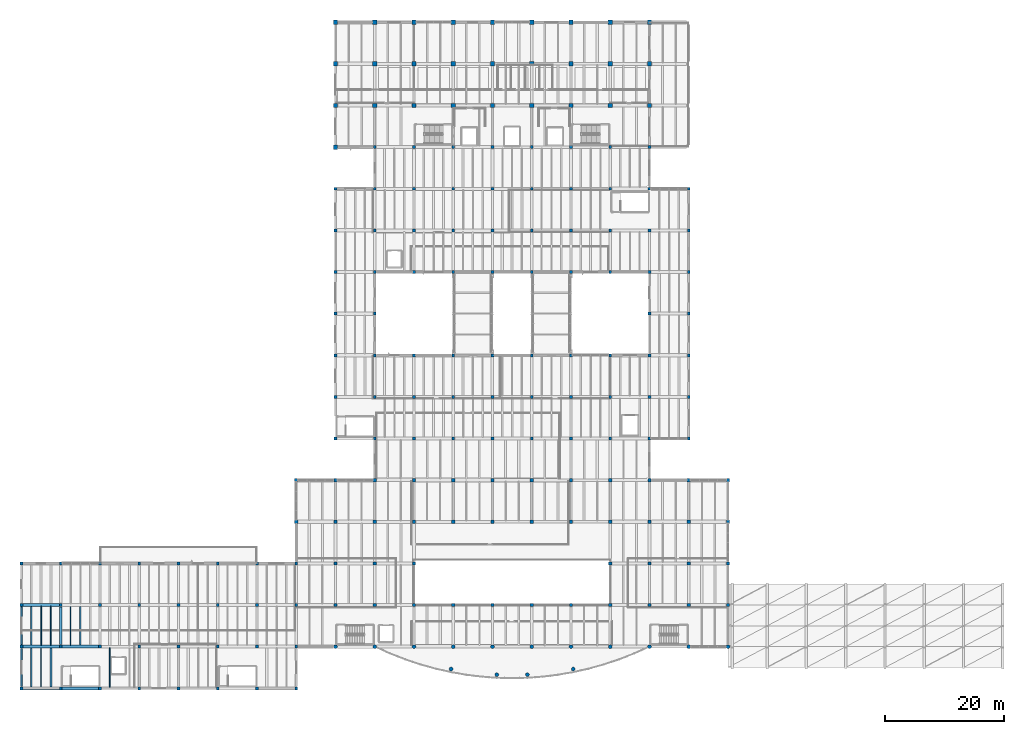
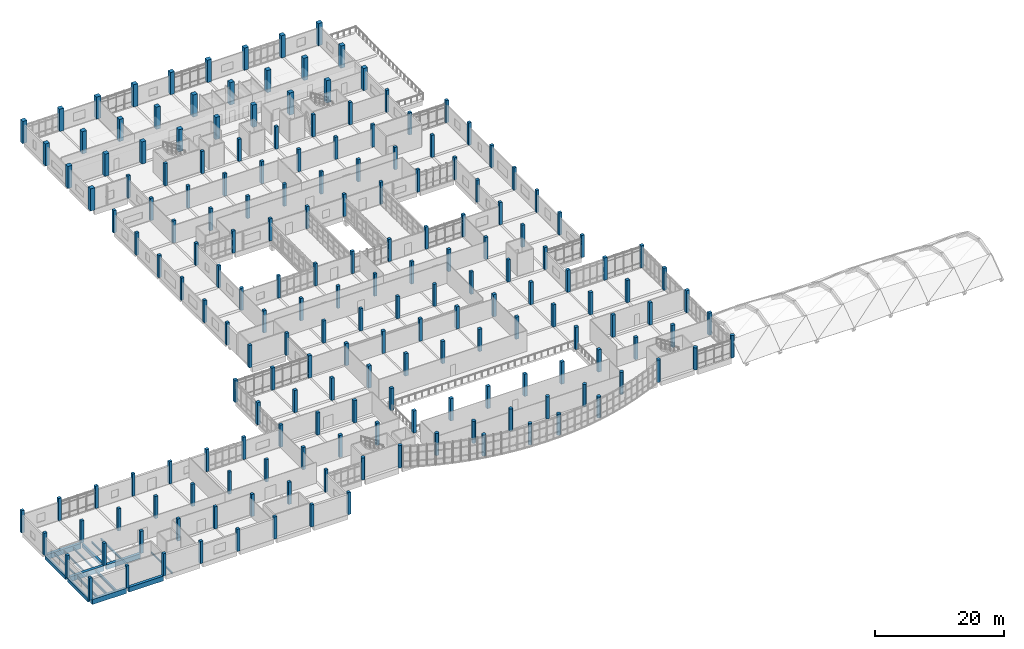
# One storey, part 1 of 65: 189 columns, 17 beams.
"""IFC4 building model written with IfcOpenShell, lengths in metres."""

from ifc_helpers import new_model, si_unit, direction, frame, origin, origin_2d, place, context, subcontext, project, spatial, rectangle, circle, i_section, extrude, material, material_profile, profile_set, type_object, element, save


model = new_model("IFC4")

# Units and contexts
model_context = context("Model", 3, precision=1e-05, world=origin(), true_north=direction((0.0, 1.0)))
body_context = subcontext(model_context, "Body", "Model", "MODEL_VIEW")
ifc_project = project(units=[si_unit("LENGTHUNIT", "METRE"), si_unit("AREAUNIT", "SQUARE_METRE"), si_unit("VOLUMEUNIT", "CUBIC_METRE"), si_unit("PLANEANGLEUNIT", "RADIAN"), si_unit("MASSUNIT", "GRAM", prefix="KILO")], contexts=[model_context])

# Site, building, storey
site_placement = place(None, origin())
site = spatial("IfcSite", under=ifc_project, at=site_placement, CompositionType="ELEMENT")
building_placement = place(site_placement, origin())
building = spatial("IfcBuilding", under=site, at=building_placement, Name="Ciguamira Faculty of Natural Sciences", CompositionType="ELEMENT")
storey_placement = place(building_placement, frame((0.0, 0.0, 12.60009765625)))
storey = spatial("IfcBuildingStorey", under=building, at=storey_placement, Name="L03", CompositionType="ELEMENT", Elevation=12.60009765625)

# Columns
ifc_material_1 = material(Name="Concrete C45/55", Category="concrete")
ifc_material_profile_1 = material_profile(ifc_material_1, rectangle(XDim=0.75, YDim=0.75, at=origin_2d()), Name="RC-COL-750X750")
ifc_profile_set_1 = profile_set([ifc_material_profile_1], Name="Concrete C45/55")
column_type_1 = type_object("IfcColumnType", Name="Col_C-04_RC-COL-750X750", PredefinedType="COLUMN", material=ifc_profile_set_1)
for number, where, z_axis, x_axis, name in (
    (1, (57.300048828125, 94.0, 0.0), (0.0, 0.0, 1.0), (1.0, 0.0, 0.0), "L03 column 9/P"),
    (2, (57.300048828125, 101.0, 0.0), (0.0, 0.0, 1.0), (1.0, 0.0, 0.0), "L03 column 9/Q"),
    (3, (57.300048828125, 108.0, 0.0), (0.0, 0.0, 1.0), (1.0, 0.0, 0.0), "L03 column 9/R"),
    (4, (57.300048828125, 115.0, 0.0), (0.0, 0.0, 1.0), (1.0, 0.0, 0.0), "L03 column 9/S"),
    (5, (63.89990234375, 101.0, 0.0), (0.0, 0.0, 1.0), (1.0, 0.0, 0.0), "L03 column 10/Q"),
    (6, (63.89990234375, 108.0, 0.0), (0.0, 0.0, 1.0), (1.0, 0.0, 0.0), "L03 column 10/R"),
    (7, (63.89990234375, 115.0, 0.0), (0.0, 0.0, 1.0), (1.0, 0.0, 0.0), "L03 column 10/S"),
    (8, (70.5, 101.0, 0.0), (0.0, 0.0, 1.0), (1.0, 0.0, 0.0), "L03 column 11/Q"),
    (9, (70.5, 108.0, 0.0), (0.0, 0.0, 1.0), (1.0, 0.0, 0.0), "L03 column 11/R"),
    (10, (70.5, 115.0, 0.0), (0.0, 0.0, 1.0), (1.0, 0.0, 0.0), "L03 column 11/S"),
    (11, (77.10009765625, 101.0, 0.0), (0.0, 0.0, 1.0), (1.0, 0.0, 0.0), "L03 column 12/Q"),
    (12, (77.10009765625, 108.0, 0.0), (0.0, 0.0, 1.0), (1.0, 0.0, 0.0), "L03 column 12/R"),
    (13, (77.10009765625, 115.0, 0.0), (0.0, 0.0, 1.0), (1.0, 0.0, 0.0), "L03 column 12/S"),
    (14, (83.699951171875, 101.0, 0.0), (0.0, 0.0, 1.0), (1.0, 0.0, 0.0), "L03 column 13/Q"),
    (15, (83.699951171875, 108.0, 0.0), (0.0, 0.0, 1.0), (1.0, 0.0, 0.0), "L03 column 13/R"),
    (16, (83.699951171875, 115.0, 0.0), (0.0, 0.0, 1.0), (1.0, 0.0, 0.0), "L03 column 13/S"),
    (17, (90.300048828125, 101.0, 0.0), (0.0, 0.0, 1.0), (1.0, 0.0, 0.0), "L03 column 14/Q"),
    (18, (90.300048828125, 108.0, 0.0), (0.0, 0.0, 1.0), (1.0, 0.0, 0.0), "L03 column 14/R"),
    (19, (90.300048828125, 115.0, 0.0), (0.0, 0.0, 1.0), (1.0, 0.0, 0.0), "L03 column 14/S"),
    (20, (96.89990234375, 101.0, 0.0), (0.0, 0.0, 1.0), (1.0, 0.0, 0.0), "L03 column 15/Q"),
    (21, (96.89990234375, 108.0, 0.0), (0.0, 0.0, 1.0), (1.0, 0.0, 0.0), "L03 column 15/R"),
    (22, (96.89990234375, 115.0, 0.0), (0.0, 0.0, 1.0), (1.0, 0.0, 0.0), "L03 column 15/S"),
    (23, (103.5, 101.0, 0.0), (0.0, 0.0, 1.0), (1.0, 0.0, 0.0), "L03 column 16/Q"),
    (24, (103.5, 108.0, 0.0), (0.0, 0.0, 1.0), (1.0, 0.0, 0.0), "L03 column 16/R"),
    (25, (103.5, 115.0, 0.0), (0.0, 0.0, 1.0), (1.0, 0.0, 0.0), "L03 column 16/S"),
    (26, (110.10009765625, 101.0, 0.0), (0.0, 0.0, 1.0), (1.0, 0.0, 0.0), "L03 column 17/Q"),
    (27, (110.10009765625, 108.0, 0.0), (0.0, 0.0, 1.0), (1.0, 0.0, 0.0), "L03 column 17/R"),
    (28, (110.10009765625, 115.0, 0.0), (0.0, 0.0, 1.0), (1.0, 0.0, 0.0), "L03 column 17/S"),
):
    element("IfcColumn", number, at=place(storey_placement, frame(where, z_axis=z_axis, x_axis=x_axis)), inside=storey, type_object=column_type_1, Name=name, PredefinedType="COLUMN", context=body_context, shape_type="SweptSolid", body=[
        extrude(rectangle(XDim=0.75, YDim=0.75, at=origin_2d()), origin(), (0.0, 0.0, 1.0), 4.199951171875),
    ])
ifc_material_2 = material(Name="Concrete C40/50", Category="concrete")
ifc_material_profile_2 = material_profile(ifc_material_2, rectangle(XDim=0.550048828125, YDim=0.550048828125, at=origin_2d()), Name="RC-COL-550X550")
ifc_profile_set_2 = profile_set([ifc_material_profile_2], Name="Concrete C40/50")
column_type_2 = type_object("IfcColumnType", Name="Col_C-08_RC-COL-550X550", PredefinedType="COLUMN", material=ifc_profile_set_2)
for number, where, z_axis, x_axis, name in (
    (29, (50.699951171875, 31.0, 0.0), (0.0, 0.0, 1.0), (1.0, 0.0, 0.0), "L03 column 8/E"),
    (30, (50.699951171875, 38.0, 0.0), (0.0, 0.0, 1.0), (1.0, 0.0, 0.0), "L03 column 8/F"),
    (31, (57.300048828125, 17.0, 0.0), (0.0, 0.0, 1.0), (1.0, 0.0, 0.0), "L03 column 9/C"),
    (32, (57.300048828125, 24.0, 0.0), (0.0, 0.0, 1.0), (1.0, 0.0, 0.0), "L03 column 9/D"),
    (33, (57.300048828125, 31.0, 0.0), (0.0, 0.0, 1.0), (1.0, 0.0, 0.0), "L03 column 9/E"),
    (34, (57.300048828125, 38.0, 0.0), (0.0, 0.0, 1.0), (1.0, 0.0, 0.0), "L03 column 9/F"),
    (35, (63.89990234375, 17.0, 0.0), (0.0, 0.0, 1.0), (1.0, 0.0, 0.0), "L03 column 10/C"),
    (36, (63.89990234375, 24.0, 0.0), (0.0, 0.0, 1.0), (1.0, 0.0, 0.0), "L03 column 10/D"),
    (37, (63.89990234375, 31.0, 0.0), (0.0, 0.0, 1.0), (1.0, 0.0, 0.0), "L03 column 10/E"),
    (38, (63.89990234375, 38.0, 0.0), (0.0, 0.0, 1.0), (1.0, 0.0, 0.0), "L03 column 10/F"),
    (39, (70.5, 17.0, 0.0), (0.0, 0.0, 1.0), (1.0, 0.0, 0.0), "L03 column 11/C"),
    (40, (70.5, 24.0, 0.0), (0.0, 0.0, 1.0), (1.0, 0.0, 0.0), "L03 column 11/D"),
    (41, (70.5, 31.0, 0.0), (0.0, 0.0, 1.0), (1.0, 0.0, 0.0), "L03 column 11/E"),
    (42, (70.5, 38.0, 0.0), (0.0, 0.0, 1.0), (1.0, 0.0, 0.0), "L03 column 11/F"),
    (43, (77.10009765625, 17.0, 0.0), (0.0, 0.0, 1.0), (1.0, 0.0, 0.0), "L03 column 12/C"),
    (44, (77.10009765625, 31.0, 0.0), (0.0, 0.0, 1.0), (1.0, 0.0, 0.0), "L03 column 12/E"),
    (45, (77.10009765625, 38.0, 0.0), (0.0, 0.0, 1.0), (1.0, 0.0, 0.0), "L03 column 12/F"),
    (46, (83.699951171875, 17.0, 0.0), (0.0, 0.0, 1.0), (1.0, 0.0, 0.0), "L03 column 13/C"),
    (47, (83.699951171875, 31.0, 0.0), (0.0, 0.0, 1.0), (1.0, 0.0, 0.0), "L03 column 13/E"),
    (48, (83.699951171875, 38.0, 0.0), (0.0, 0.0, 1.0), (1.0, 0.0, 0.0), "L03 column 13/F"),
    (49, (90.300048828125, 17.0, 0.0), (0.0, 0.0, 1.0), (1.0, 0.0, 0.0), "L03 column 14/C"),
    (50, (90.300048828125, 31.0, 0.0), (0.0, 0.0, 1.0), (1.0, 0.0, 0.0), "L03 column 14/E"),
    (51, (90.300048828125, 38.0, 0.0), (0.0, 0.0, 1.0), (1.0, 0.0, 0.0), "L03 column 14/F"),
    (52, (96.89990234375, 17.0, 0.0), (0.0, 0.0, 1.0), (1.0, 0.0, 0.0), "L03 column 15/C"),
    (53, (96.89990234375, 31.0, 0.0), (0.0, 0.0, 1.0), (1.0, 0.0, 0.0), "L03 column 15/E"),
    (54, (96.89990234375, 38.0, 0.0), (0.0, 0.0, 1.0), (1.0, 0.0, 0.0), "L03 column 15/F"),
    (55, (103.5, 17.0, 0.0), (0.0, 0.0, 1.0), (1.0, 0.0, 0.0), "L03 column 16/C"),
    (56, (103.5, 24.0, 0.0), (0.0, 0.0, 1.0), (1.0, 0.0, 0.0), "L03 column 16/D"),
    (57, (103.5, 31.0, 0.0), (0.0, 0.0, 1.0), (1.0, 0.0, 0.0), "L03 column 16/E"),
    (58, (103.5, 38.0, 0.0), (0.0, 0.0, 1.0), (1.0, 0.0, 0.0), "L03 column 16/F"),
    (59, (110.10009765625, 17.0, 0.0), (0.0, 0.0, 1.0), (1.0, 0.0, 0.0), "L03 column 17/C"),
    (60, (110.10009765625, 24.0, 0.0), (0.0, 0.0, 1.0), (1.0, 0.0, 0.0), "L03 column 17/D"),
    (61, (110.10009765625, 31.0, 0.0), (0.0, 0.0, 1.0), (1.0, 0.0, 0.0), "L03 column 17/E"),
    (62, (110.10009765625, 38.0, 0.0), (0.0, 0.0, 1.0), (1.0, 0.0, 0.0), "L03 column 17/F"),
    (63, (116.699951171875, 17.0, 0.0), (0.0, 0.0, 1.0), (1.0, 0.0, 0.0), "L03 column 18/C"),
    (64, (116.699951171875, 24.0, 0.0), (0.0, 0.0, 1.0), (1.0, 0.0, 0.0), "L03 column 18/D"),
    (65, (116.699951171875, 31.0, 0.0), (0.0, 0.0, 1.0), (1.0, 0.0, 0.0), "L03 column 18/E"),
    (66, (116.699951171875, 38.0, 0.0), (0.0, 0.0, 1.0), (1.0, 0.0, 0.0), "L03 column 18/F"),
    (67, (123.300048828125, 17.0, 0.0), (0.0, 0.0, 1.0), (1.0, 0.0, 0.0), "L03 column 19/C"),
    (68, (123.300048828125, 24.0, 0.0), (0.0, 0.0, 1.0), (1.0, 0.0, 0.0), "L03 column 19/D"),
    (69, (123.300048828125, 31.0, 0.0), (0.0, 0.0, 1.0), (1.0, 0.0, 0.0), "L03 column 19/E"),
    (70, (123.300048828125, 38.0, 0.0), (0.0, 0.0, 1.0), (1.0, 0.0, 0.0), "L03 column 19/F"),
):
    element("IfcColumn", number, at=place(storey_placement, frame(where, z_axis=z_axis, x_axis=x_axis)), inside=storey, type_object=column_type_2, Name=name, PredefinedType="COLUMN", context=body_context, shape_type="SweptSolid", body=[
        extrude(rectangle(XDim=0.550048828125, YDim=0.550048828125, at=origin_2d()), origin(), (0.0, 0.0, 1.0), 4.199951171875),
    ])
ifc_material_profile_3 = material_profile(ifc_material_2, rectangle(XDim=0.5, YDim=0.5, at=origin_2d()), Name="RC-COL-500X500")
ifc_profile_set_3 = profile_set([ifc_material_profile_3], Name="Concrete C40/50")
column_type_3 = type_object("IfcColumnType", Name="Col_C-09_RC-COL-500X500", PredefinedType="COLUMN", material=ifc_profile_set_3)
for number, where, z_axis, x_axis, name in (
    (71, (4.5, 3.0, 0.0), (0.0, 0.0, 1.0), (1.0, 0.0, 0.0), "L03 column 1/A"),
    (72, (4.5, 10.0, 0.0), (0.0, 0.0, 1.0), (1.0, 0.0, 0.0), "L03 column 1/B"),
    (73, (4.5, 17.0, 0.0), (0.0, 0.0, 1.0), (1.0, 0.0, 0.0), "L03 column 1/C"),
    (74, (4.5, 24.0, 0.0), (0.0, 0.0, 1.0), (1.0, 0.0, 0.0), "L03 column 1/D"),
    (75, (11.10009765625, 3.0, 0.0), (0.0, 0.0, 1.0), (1.0, 0.0, 0.0), "L03 column 2/A"),
    (76, (11.10009765625, 10.0, 0.0), (0.0, 0.0, 1.0), (1.0, 0.0, 0.0), "L03 column 2/B"),
    (77, (11.10009765625, 17.0, 0.0), (0.0, 0.0, 1.0), (1.0, 0.0, 0.0), "L03 column 2/C"),
    (78, (11.10009765625, 24.0, 0.0), (0.0, 0.0, 1.0), (1.0, 0.0, 0.0), "L03 column 2/D"),
    (79, (17.699951171875, 3.0, 0.0), (0.0, 0.0, 1.0), (1.0, 0.0, 0.0), "L03 column 3/A"),
    (80, (17.699951171875, 10.0, 0.0), (0.0, 0.0, 1.0), (1.0, 0.0, 0.0), "L03 column 3/B"),
    (81, (17.699951171875, 17.0, 0.0), (0.0, 0.0, 1.0), (1.0, 0.0, 0.0), "L03 column 3/C"),
    (82, (17.699951171875, 24.0, 0.0), (0.0, 0.0, 1.0), (1.0, 0.0, 0.0), "L03 column 3/D"),
    (83, (24.300048828125, 3.0, 0.0), (0.0, 0.0, 1.0), (1.0, 0.0, 0.0), "L03 column 4/A"),
    (84, (24.300048828125, 10.0, 0.0), (0.0, 0.0, 1.0), (1.0, 0.0, 0.0), "L03 column 4/B"),
    (85, (24.300048828125, 17.0, 0.0), (0.0, 0.0, 1.0), (1.0, 0.0, 0.0), "L03 column 4/C"),
    (86, (24.300048828125, 24.0, 0.0), (0.0, 0.0, 1.0), (1.0, 0.0, 0.0), "L03 column 4/D"),
    (87, (30.89990234375, 3.0, 0.0), (0.0, 0.0, 1.0), (1.0, 0.0, 0.0), "L03 column 5/A"),
    (88, (30.89990234375, 10.0, 0.0), (0.0, 0.0, 1.0), (1.0, 0.0, 0.0), "L03 column 5/B"),
    (89, (30.89990234375, 17.0, 0.0), (0.0, 0.0, 1.0), (1.0, 0.0, 0.0), "L03 column 5/C"),
    (90, (30.89990234375, 24.0, 0.0), (0.0, 0.0, 1.0), (1.0, 0.0, 0.0), "L03 column 5/D"),
    (91, (37.5, 3.0, 0.0), (0.0, 0.0, 1.0), (1.0, 0.0, 0.0), "L03 column 6/A"),
    (92, (37.5, 10.0, 0.0), (0.0, 0.0, 1.0), (1.0, 0.0, 0.0), "L03 column 6/B"),
    (93, (37.5, 17.0, 0.0), (0.0, 0.0, 1.0), (1.0, 0.0, 0.0), "L03 column 6/C"),
    (94, (37.5, 24.0, 0.0), (0.0, 0.0, 1.0), (1.0, 0.0, 0.0), "L03 column 6/D"),
    (95, (44.10009765625, 3.0, 0.0), (0.0, 0.0, 1.0), (1.0, 0.0, 0.0), "L03 column 7/A"),
    (96, (44.10009765625, 10.0, 0.0), (0.0, 0.0, 1.0), (1.0, 0.0, 0.0), "L03 column 7/B"),
    (97, (44.10009765625, 17.0, 0.0), (0.0, 0.0, 1.0), (1.0, 0.0, 0.0), "L03 column 7/C"),
    (98, (44.10009765625, 24.0, 0.0), (0.0, 0.0, 1.0), (1.0, 0.0, 0.0), "L03 column 7/D"),
    (99, (50.699951171875, 3.0, 0.0), (0.0, 0.0, 1.0), (1.0, 0.0, 0.0), "L03 column 8/A"),
    (100, (50.699951171875, 10.0, 0.0), (0.0, 0.0, 1.0), (1.0, 0.0, 0.0), "L03 column 8/B"),
    (101, (50.699951171875, 17.0, 0.0), (0.0, 0.0, 1.0), (1.0, 0.0, 0.0), "L03 column 8/C"),
    (102, (50.699951171875, 24.0, 0.0), (0.0, 0.0, 1.0), (1.0, 0.0, 0.0), "L03 column 8/D"),
    (103, (57.300048828125, 45.0, 0.0), (0.0, 0.0, 1.0), (1.0, 0.0, 0.0), "L03 column 9/G"),
    (104, (57.300048828125, 52.0, 0.0), (0.0, 0.0, 1.0), (1.0, 0.0, 0.0), "L03 column 9/H"),
    (105, (57.300048828125, 59.0, 0.0), (0.0, 0.0, 1.0), (1.0, 0.0, 0.0), "L03 column 9/J"),
    (106, (57.300048828125, 66.0, 0.0), (0.0, 0.0, 1.0), (1.0, 0.0, 0.0), "L03 column 9/K"),
    (107, (57.300048828125, 73.0, 0.0), (0.0, 0.0, 1.0), (1.0, 0.0, 0.0), "L03 column 9/L"),
    (108, (57.300048828125, 80.0, 0.0), (0.0, 0.0, 1.0), (1.0, 0.0, 0.0), "L03 column 9/M"),
    (109, (57.300048828125, 87.0, 0.0), (0.0, 0.0, 1.0), (1.0, 0.0, 0.0), "L03 column 9/N"),
    (110, (63.89990234375, 45.0, 0.0), (0.0, 0.0, 1.0), (1.0, 0.0, 0.0), "L03 column 10/G"),
    (111, (63.89990234375, 52.0, 0.0), (0.0, 0.0, 1.0), (1.0, 0.0, 0.0), "L03 column 10/H"),
    (112, (63.89990234375, 59.0, 0.0), (0.0, 0.0, 1.0), (1.0, 0.0, 0.0), "L03 column 10/J"),
    (113, (63.89990234375, 66.0, 0.0), (0.0, 0.0, 1.0), (1.0, 0.0, 0.0), "L03 column 10/K"),
    (114, (63.89990234375, 73.0, 0.0), (0.0, 0.0, 1.0), (1.0, 0.0, 0.0), "L03 column 10/L"),
    (115, (63.89990234375, 80.0, 0.0), (0.0, 0.0, 1.0), (1.0, 0.0, 0.0), "L03 column 10/M"),
    (116, (63.89990234375, 87.0, 0.0), (0.0, 0.0, 1.0), (1.0, 0.0, 0.0), "L03 column 10/N"),
    (117, (63.89990234375, 94.0, 0.0), (0.0, 0.0, 1.0), (1.0, 0.0, 0.0), "L03 column 10/P"),
    (118, (70.5, 45.0, 0.0), (0.0, 0.0, 1.0), (1.0, 0.0, 0.0), "L03 column 11/G"),
    (119, (70.5, 52.0, 0.0), (0.0, 0.0, 1.0), (1.0, 0.0, 0.0), "L03 column 11/H"),
    (120, (70.5, 59.0, 0.0), (0.0, 0.0, 1.0), (1.0, 0.0, 0.0), "L03 column 11/J"),
    (121, (70.5, 73.0, 0.0), (0.0, 0.0, 1.0), (1.0, 0.0, 0.0), "L03 column 11/L"),
    (122, (70.5, 80.0, 0.0), (0.0, 0.0, 1.0), (1.0, 0.0, 0.0), "L03 column 11/M"),
    (123, (70.5, 87.0, 0.0), (0.0, 0.0, 1.0), (1.0, 0.0, 0.0), "L03 column 11/N"),
    (124, (70.5, 94.0, 0.0), (0.0, 0.0, 1.0), (1.0, 0.0, 0.0), "L03 column 11/P"),
    (125, (77.10009765625, 45.0, 0.0), (0.0, 0.0, 1.0), (1.0, 0.0, 0.0), "L03 column 12/G"),
    (126, (77.10009765625, 52.0, 0.0), (0.0, 0.0, 1.0), (1.0, 0.0, 0.0), "L03 column 12/H"),
    (127, (77.10009765625, 59.0, 0.0), (0.0, 0.0, 1.0), (1.0, 0.0, 0.0), "L03 column 12/J"),
    (128, (77.10009765625, 73.0, 0.0), (0.0, 0.0, 1.0), (1.0, 0.0, 0.0), "L03 column 12/L"),
    (129, (77.10009765625, 80.0, 0.0), (0.0, 0.0, 1.0), (1.0, 0.0, 0.0), "L03 column 12/M"),
    (130, (77.10009765625, 87.0, 0.0), (0.0, 0.0, 1.0), (1.0, 0.0, 0.0), "L03 column 12/N"),
    (131, (77.10009765625, 94.0, 0.0), (0.0, 0.0, 1.0), (1.0, 0.0, 0.0), "L03 column 12/P"),
    (132, (83.699951171875, 45.0, 0.0), (0.0, 0.0, 1.0), (1.0, 0.0, 0.0), "L03 column 13/G"),
    (133, (83.699951171875, 52.0, 0.0), (0.0, 0.0, 1.0), (1.0, 0.0, 0.0), "L03 column 13/H"),
    (134, (83.699951171875, 59.0, 0.0), (0.0, 0.0, 1.0), (1.0, 0.0, 0.0), "L03 column 13/J"),
    (135, (83.699951171875, 73.0, 0.0), (0.0, 0.0, 1.0), (1.0, 0.0, 0.0), "L03 column 13/L"),
    (136, (83.699951171875, 80.0, 0.0), (0.0, 0.0, 1.0), (1.0, 0.0, 0.0), "L03 column 13/M"),
    (137, (83.699951171875, 87.0, 0.0), (0.0, 0.0, 1.0), (1.0, 0.0, 0.0), "L03 column 13/N"),
    (138, (83.699951171875, 94.0, 0.0), (0.0, 0.0, 1.0), (1.0, 0.0, 0.0), "L03 column 13/P"),
    (139, (90.300048828125, 45.0, 0.0), (0.0, 0.0, 1.0), (1.0, 0.0, 0.0), "L03 column 14/G"),
    (140, (90.300048828125, 52.0, 0.0), (0.0, 0.0, 1.0), (1.0, 0.0, 0.0), "L03 column 14/H"),
    (141, (90.300048828125, 59.0, 0.0), (0.0, 0.0, 1.0), (1.0, 0.0, 0.0), "L03 column 14/J"),
    (142, (90.300048828125, 73.0, 0.0), (0.0, 0.0, 1.0), (1.0, 0.0, 0.0), "L03 column 14/L"),
    (143, (90.300048828125, 80.0, 0.0), (0.0, 0.0, 1.0), (1.0, 0.0, 0.0), "L03 column 14/M"),
    (144, (90.300048828125, 87.0, 0.0), (0.0, 0.0, 1.0), (1.0, 0.0, 0.0), "L03 column 14/N"),
    (145, (90.300048828125, 94.0, 0.0), (0.0, 0.0, 1.0), (1.0, 0.0, 0.0), "L03 column 14/P"),
    (146, (96.89990234375, 45.0, 0.0), (0.0, 0.0, 1.0), (1.0, 0.0, 0.0), "L03 column 15/G"),
    (147, (96.89990234375, 52.0, 0.0), (0.0, 0.0, 1.0), (1.0, 0.0, 0.0), "L03 column 15/H"),
    (148, (96.89990234375, 59.0, 0.0), (0.0, 0.0, 1.0), (1.0, 0.0, 0.0), "L03 column 15/J"),
    (149, (96.89990234375, 73.0, 0.0), (0.0, 0.0, 1.0), (1.0, 0.0, 0.0), "L03 column 15/L"),
    (150, (96.89990234375, 80.0, 0.0), (0.0, 0.0, 1.0), (1.0, 0.0, 0.0), "L03 column 15/M"),
    (151, (96.89990234375, 87.0, 0.0), (0.0, 0.0, 1.0), (1.0, 0.0, 0.0), "L03 column 15/N"),
    (152, (96.89990234375, 94.0, 0.0), (0.0, 0.0, 1.0), (1.0, 0.0, 0.0), "L03 column 15/P"),
    (153, (103.5, 45.0, 0.0), (0.0, 0.0, 1.0), (1.0, 0.0, 0.0), "L03 column 16/G"),
    (154, (103.5, 52.0, 0.0), (0.0, 0.0, 1.0), (1.0, 0.0, 0.0), "L03 column 16/H"),
    (155, (103.5, 59.0, 0.0), (0.0, 0.0, 1.0), (1.0, 0.0, 0.0), "L03 column 16/J"),
    (156, (103.5, 73.0, 0.0), (0.0, 0.0, 1.0), (1.0, 0.0, 0.0), "L03 column 16/L"),
    (157, (103.5, 80.0, 0.0), (0.0, 0.0, 1.0), (1.0, 0.0, 0.0), "L03 column 16/M"),
    (158, (103.5, 87.0, 0.0), (0.0, 0.0, 1.0), (1.0, 0.0, 0.0), "L03 column 16/N"),
    (159, (103.5, 94.0, 0.0), (0.0, 0.0, 1.0), (1.0, 0.0, 0.0), "L03 column 16/P"),
    (160, (110.10009765625, 45.0, 0.0), (0.0, 0.0, 1.0), (1.0, 0.0, 0.0), "L03 column 17/G"),
    (161, (110.10009765625, 52.0, 0.0), (0.0, 0.0, 1.0), (1.0, 0.0, 0.0), "L03 column 17/H"),
    (162, (110.10009765625, 59.0, 0.0), (0.0, 0.0, 1.0), (1.0, 0.0, 0.0), "L03 column 17/J"),
    (163, (110.10009765625, 66.0, 0.0), (0.0, 0.0, 1.0), (1.0, 0.0, 0.0), "L03 column 17/K"),
    (164, (110.10009765625, 73.0, 0.0), (0.0, 0.0, 1.0), (1.0, 0.0, 0.0), "L03 column 17/L"),
    (165, (110.10009765625, 80.0, 0.0), (0.0, 0.0, 1.0), (1.0, 0.0, 0.0), "L03 column 17/M"),
    (166, (110.10009765625, 87.0, 0.0), (0.0, 0.0, 1.0), (1.0, 0.0, 0.0), "L03 column 17/N"),
    (167, (110.10009765625, 94.0, 0.0), (0.0, 0.0, 1.0), (1.0, 0.0, 0.0), "L03 column 17/P"),
    (168, (116.699951171875, 45.0, 0.0), (0.0, 0.0, 1.0), (1.0, 0.0, 0.0), "L03 column 18/G"),
    (169, (116.699951171875, 52.0, 0.0), (0.0, 0.0, 1.0), (1.0, 0.0, 0.0), "L03 column 18/H"),
    (170, (116.699951171875, 59.0, 0.0), (0.0, 0.0, 1.0), (1.0, 0.0, 0.0), "L03 column 18/J"),
    (171, (116.699951171875, 66.0, 0.0), (0.0, 0.0, 1.0), (1.0, 0.0, 0.0), "L03 column 18/K"),
    (172, (116.699951171875, 73.0, 0.0), (0.0, 0.0, 1.0), (1.0, 0.0, 0.0), "L03 column 18/L"),
    (173, (116.699951171875, 80.0, 0.0), (0.0, 0.0, 1.0), (1.0, 0.0, 0.0), "L03 column 18/M"),
    (174, (116.699951171875, 87.0, 0.0), (0.0, 0.0, 1.0), (1.0, 0.0, 0.0), "L03 column 18/N"),
):
    element("IfcColumn", number, at=place(storey_placement, frame(where, z_axis=z_axis, x_axis=x_axis)), inside=storey, type_object=column_type_3, Name=name, PredefinedType="COLUMN", context=body_context, shape_type="SweptSolid", body=[
        extrude(rectangle(XDim=0.5, YDim=0.5, at=origin_2d()), origin(), (0.0, 0.0, 1.0), 4.199951171875),
    ])
ifc_material_profile_4 = material_profile(ifc_material_2, circle(Radius=0.324951171875, at=origin_2d()), Name="RC-RND-650")
ifc_profile_set_4 = profile_set([ifc_material_profile_4], Name="Concrete C40/50")
column_type_4 = type_object("IfcColumnType", Name="Col_C-18_RC-RND-650", PredefinedType="COLUMN", material=ifc_profile_set_4)
for number, where, z_axis, x_axis, name in (
    (175, (57.300048828125, 10.0, 0.0), (0.0, 0.0, 1.0), (1.0, 0.0, 0.0), "L03 column 9/B"),
    (176, (63.89990234375, 10.0, 0.0), (0.0, 0.0, 1.0), (1.0, 0.0, 0.0), "L03 column 10/B"),
    (177, (70.5, 10.0, 0.0), (0.0, 0.0, 1.0), (1.0, 0.0, 0.0), "L03 column 11/B"),
    (178, (77.10009765625, 10.0, 0.0), (0.0, 0.0, 1.0), (1.0, 0.0, 0.0), "L03 column 12/B"),
    (179, (83.699951171875, 10.0, 0.0), (0.0, 0.0, 1.0), (1.0, 0.0, 0.0), "L03 column 13/B"),
    (180, (90.300048828125, 10.0, 0.0), (0.0, 0.0, 1.0), (1.0, 0.0, 0.0), "L03 column 14/B"),
    (181, (96.89990234375, 10.0, 0.0), (0.0, 0.0, 1.0), (1.0, 0.0, 0.0), "L03 column 15/B"),
    (182, (103.5, 10.0, 0.0), (0.0, 0.0, 1.0), (1.0, 0.0, 0.0), "L03 column 16/B"),
    (183, (110.10009765625, 10.0, 0.0), (0.0, 0.0, 1.0), (1.0, 0.0, 0.0), "L03 column 17/B"),
    (184, (116.699951171875, 10.0, 0.0), (0.0, 0.0, 1.0), (1.0, 0.0, 0.0), "L03 column 18/B"),
    (185, (123.300048828125, 10.0, 0.0), (0.0, 0.0, 1.0), (1.0, 0.0, 0.0), "L03 column 19/B"),
):
    element("IfcColumn", number, at=place(storey_placement, frame(where, z_axis=z_axis, x_axis=x_axis)), inside=storey, type_object=column_type_4, Name=name, PredefinedType="COLUMN", context=body_context, shape_type="SweptSolid", body=[
        extrude(circle(Radius=0.324951171875, at=origin_2d()), origin(), (0.0, 0.0, 1.0), 4.199951171875),
    ])
for number, where, z_axis, x_axis, name in (
    (186, (76.7333984375, 6.236572265625, 0.0), (0.0, 0.0, 1.0), (1.0, 0.0, 0.0), "L03 south arc colonnade column 1"),
    (187, (84.433349609375, 5.291259765625, 0.0), (0.0, 0.0, 1.0), (1.0, 0.0, 0.0), "L03 south arc colonnade column 2"),
    (188, (89.566650390625, 5.291259765625, 0.0), (0.0, 0.0, 1.0), (1.0, 0.0, 0.0), "L03 south arc colonnade column 3"),
    (189, (97.2666015625, 6.236572265625, 0.0), (0.0, 0.0, 1.0), (1.0, 0.0, 0.0), "L03 south arc colonnade column 4"),
):
    element("IfcColumn", number, at=place(storey_placement, frame(where, z_axis=z_axis, x_axis=x_axis)), inside=storey, type_object=column_type_4, Name=name, PredefinedType="COLUMN", context=body_context, shape_type="SweptSolid", body=[
        extrude(circle(Radius=0.324951171875, at=origin_2d()), origin(), (0.0, 0.0, 1.0), 4.02001953125),
    ])

# Beams
ifc_material_profile_5 = material_profile(ifc_material_2, rectangle(XDim=0.5, YDim=0.949951171875, at=origin_2d()), Name="RC-BM-500X950")
ifc_profile_set_5 = profile_set([ifc_material_profile_5], Name="Concrete C40/50")
beam_type_1 = type_object("IfcBeamType", Name="RCBeam_BG-02_RC-BM-500X950", PredefinedType="BEAM", material=ifc_profile_set_5)
for number, where, z_axis, x_axis, name in (
    (190, (4.75, 3.0, -0.47509765625), (1.0, 0.0, 0.0), (0.0, 1.0, 0.0), "L03 RC girder EW-1013"),
    (191, (4.75, 10.0, -0.47509765625), (1.0, 0.0, 0.0), (0.0, 1.0, 0.0), "L03 RC girder EW-1020"),
    (192, (4.75, 17.0, -0.47509765625), (1.0, 0.0, 0.0), (0.0, 1.0, 0.0), "L03 RC girder EW-1038"),
):
    element("IfcBeam", number, at=place(storey_placement, frame(where, z_axis=z_axis, x_axis=x_axis)), inside=storey, type_object=beam_type_1, Name=name, PredefinedType="BEAM", context=body_context, shape_type="SweptSolid", body=[
        extrude(rectangle(XDim=0.5, YDim=0.949951171875, at=origin_2d()), origin(), (0.0, 0.0, 1.0), 6.10009765625),
    ])
ifc_material_profile_6 = material_profile(ifc_material_2, rectangle(XDim=0.5, YDim=0.89990234375, at=origin_2d()), Name="RC-BM-500X900")
ifc_profile_set_6 = profile_set([ifc_material_profile_6], Name="Concrete C40/50")
beam_type_2 = type_object("IfcBeamType", Name="RCBeam_BG-03_RC-BM-500X900", PredefinedType="BEAM", material=ifc_profile_set_6)
for number, where, z_axis, x_axis, name in (
    (193, (11.35009765625, 3.0, -0.4501953125), (1.0, 0.0, 0.0), (0.0, 1.0, 0.0), "L03 RC girder EW-1014"),
    (194, (11.35009765625, 10.0, -0.4501953125), (1.0, 0.0, 0.0), (0.0, 1.0, 0.0), "L03 RC girder EW-1021"),
):
    element("IfcBeam", number, at=place(storey_placement, frame(where, z_axis=z_axis, x_axis=x_axis)), inside=storey, type_object=beam_type_2, Name=name, PredefinedType="BEAM", context=body_context, shape_type="SweptSolid", body=[
        extrude(rectangle(XDim=0.5, YDim=0.89990234375, at=origin_2d()), origin(), (0.0, 0.0, 1.0), 6.099853515625),
    ])
ifc_material_profile_7 = material_profile(ifc_material_2, rectangle(XDim=0.360107421875, YDim=0.639892578125, at=origin_2d()), Name="RC-BM-360X640")
ifc_profile_set_7 = profile_set([ifc_material_profile_7], Name="Concrete C40/50")
beam_type_3 = type_object("IfcBeamType", Name="RCBeam_BG-10_RC-BM-360X640", PredefinedType="BEAM", material=ifc_profile_set_7)
beam_1_placement = place(storey_placement, frame((11.10009765625, 10.324951171875, -0.320068359375), z_axis=(0.0, 1.0, 0.0), x_axis=(-1.0, 0.0, 0.0)))
element("IfcBeam", 195, at=beam_1_placement, inside=storey, type_object=beam_type_3, Name="L03 girder NS-1186", PredefinedType="BEAM", context=body_context, shape_type="SweptSolid", body=[
    extrude(rectangle(XDim=0.360107421875, YDim=0.639892578125, at=origin_2d()), origin(), (0.0, 0.0, 1.0), 6.35009765625),
])
ifc_material_3 = material(Name="Precast concrete C40/50", Category="concrete")
ifc_material_profile_8 = material_profile(ifc_material_3, rectangle(XDim=0.320068359375, YDim=0.679931640625, at=origin_2d()), Name="RC-SP-320X680")
ifc_profile_set_8 = profile_set([ifc_material_profile_8], Name="Precast concrete C40/50")
beam_type_4 = type_object("IfcBeamType", Name="RCBeam_SP-02_RC-SP-320X680", PredefinedType="SPANDREL", material=ifc_profile_set_8)
for number, where, z_axis, x_axis, name in (
    (196, (4.5, 3.324951171875, -0.340087890625), (0.0, 1.0, 0.0), (-1.0, 0.0, 0.0), "L03 girder NS-1183"),
    (197, (4.5, 10.324951171875, -0.340087890625), (0.0, 1.0, 0.0), (-1.0, 0.0, 0.0), "L03 girder NS-1184"),
):
    element("IfcBeam", number, at=place(storey_placement, frame(where, z_axis=z_axis, x_axis=x_axis)), inside=storey, type_object=beam_type_4, Name=name, PredefinedType="SPANDREL", context=body_context, shape_type="SweptSolid", body=[
        extrude(rectangle(XDim=0.320068359375, YDim=0.679931640625, at=origin_2d()), origin(), (0.0, 0.0, 1.0), 6.35009765625),
    ])
ifc_material_4 = material(Name="Steel ASTM A992 Grade 50", Category="steel")
ifc_material_profile_9 = material_profile(ifc_material_4, i_section(OverallWidth=0.25390625, OverallDepth=0.25390625, WebThickness=0.008544921875, FlangeThickness=0.01416015625, at=origin_2d()), Name="W10X49")
ifc_profile_set_9 = profile_set([ifc_material_profile_9], Name="Steel ASTM A992 Grade 50")
beam_type_5 = type_object("IfcBeamType", Name="SteelJoist_SJ-03_W10X49", PredefinedType="JOIST", material=ifc_profile_set_9)
beam_2_placement = place(storey_placement, frame((6.14990234375, 10.2099609375, -0.38720703125), z_axis=(0.0, 1.0, 0.0), x_axis=(-1.0, 0.0, 0.0)))
element("IfcBeam", 198, at=beam_2_placement, inside=storey, type_object=beam_type_5, Name="L03 composite steel joist 00960", PredefinedType="JOIST", context=body_context, shape_type="SweptSolid", body=[
    extrude(i_section(OverallWidth=0.25390625, OverallDepth=0.25390625, WebThickness=0.008544921875, FlangeThickness=0.01416015625, at=origin_2d()), origin(), (0.0, 0.0, 1.0), 6.580078125),
])
ifc_material_profile_10 = material_profile(ifc_material_4, i_section(OverallWidth=0.164794921875, OverallDepth=0.309814453125, WebThickness=0.005859375, FlangeThickness=0.009765625, at=origin_2d()), Name="W12X26")
ifc_profile_set_10 = profile_set([ifc_material_profile_10], Name="Steel ASTM A992 Grade 50")
beam_type_6 = type_object("IfcBeamType", Name="SteelJoist_SJ-04_W12X26", PredefinedType="JOIST", material=ifc_profile_set_10)
beam_3_placement = place(storey_placement, frame((7.800048828125, 10.2099609375, -0.4150390625), z_axis=(0.0, 1.0, 0.0), x_axis=(-1.0, 0.0, 0.0)))
element("IfcBeam", 199, at=beam_3_placement, inside=storey, type_object=beam_type_6, Name="L03 composite steel joist 00961", PredefinedType="JOIST", context=body_context, shape_type="SweptSolid", body=[
    extrude(i_section(OverallWidth=0.164794921875, OverallDepth=0.309814453125, WebThickness=0.005859375, FlangeThickness=0.009765625, at=origin_2d()), origin(), (0.0, 0.0, 1.0), 6.580078125),
])
beam_4_placement = place(storey_placement, frame((19.35009765625, 3.18994140625, -0.4150390625), z_axis=(0.0, 1.0, 0.0), x_axis=(-1.0, 0.0, 0.0)))
element("IfcBeam", 200, at=beam_4_placement, inside=storey, type_object=beam_type_6, Name="L03 composite steel joist 00972", PredefinedType="JOIST", context=body_context, shape_type="SweptSolid", body=[
    extrude(i_section(OverallWidth=0.164794921875, OverallDepth=0.309814453125, WebThickness=0.005859375, FlangeThickness=0.009765625, at=origin_2d()), origin(), (0.0, 0.0, 1.0), 6.6201171875),
])
ifc_material_profile_11 = material_profile(ifc_material_4, i_section(OverallWidth=0.16650390625, OverallDepth=0.3173828125, WebThickness=0.007568359375, FlangeThickness=0.01318359375, at=origin_2d()), Name="W12X35")
ifc_profile_set_11 = profile_set([ifc_material_profile_11], Name="Steel ASTM A992 Grade 50")
beam_type_7 = type_object("IfcBeamType", Name="SteelJoist_SJ-05_W12X35", PredefinedType="JOIST", material=ifc_profile_set_11)
beam_5_placement = place(storey_placement, frame((9.449951171875, 10.2099609375, -0.418701171875), z_axis=(0.0, 1.0, 0.0), x_axis=(-1.0, 0.0, 0.0)))
element("IfcBeam", 201, at=beam_5_placement, inside=storey, type_object=beam_type_7, Name="L03 composite steel joist 00962", PredefinedType="JOIST", context=body_context, shape_type="SweptSolid", body=[
    extrude(i_section(OverallWidth=0.16650390625, OverallDepth=0.3173828125, WebThickness=0.007568359375, FlangeThickness=0.01318359375, at=origin_2d()), origin(), (0.0, 0.0, 1.0), 6.580078125),
])
ifc_material_profile_12 = material_profile(ifc_material_4, i_section(OverallWidth=0.20458984375, OverallDepth=0.307373046875, WebThickness=0.008544921875, FlangeThickness=0.0146484375, at=origin_2d()), Name="W12X45")
ifc_profile_set_12 = profile_set([ifc_material_profile_12], Name="Steel ASTM A992 Grade 50")
beam_type_8 = type_object("IfcBeamType", Name="SteelJoist_SJ-06_W12X45", PredefinedType="JOIST", material=ifc_profile_set_12)
beam_6_placement = place(storey_placement, frame((12.75, 10.2099609375, -0.413818359375), z_axis=(0.0, 1.0, 0.0), x_axis=(-1.0, 0.0, 0.0)))
element("IfcBeam", 202, at=beam_6_placement, inside=storey, type_object=beam_type_8, Name="L03 composite steel joist 00966", PredefinedType="JOIST", context=body_context, shape_type="SweptSolid", body=[
    extrude(i_section(OverallWidth=0.20458984375, OverallDepth=0.307373046875, WebThickness=0.008544921875, FlangeThickness=0.0146484375, at=origin_2d()), origin(), (0.0, 0.0, 1.0), 6.580078125),
])
ifc_material_profile_13 = material_profile(ifc_material_4, i_section(OverallWidth=0.25390625, OverallDepth=0.307373046875, WebThickness=0.0087890625, FlangeThickness=0.0146484375, at=origin_2d()), Name="W12X53")
ifc_profile_set_13 = profile_set([ifc_material_profile_13], Name="Steel ASTM A992 Grade 50")
beam_type_9 = type_object("IfcBeamType", Name="SteelJoist_SJ-07_W12X53", PredefinedType="JOIST", material=ifc_profile_set_13)
beam_7_placement = place(storey_placement, frame((14.39990234375, 10.2099609375, -0.413818359375), z_axis=(0.0, 1.0, 0.0), x_axis=(-1.0, 0.0, 0.0)))
element("IfcBeam", 203, at=beam_7_placement, inside=storey, type_object=beam_type_9, Name="L03 composite steel joist 00967", PredefinedType="JOIST", context=body_context, shape_type="SweptSolid", body=[
    extrude(i_section(OverallWidth=0.25390625, OverallDepth=0.307373046875, WebThickness=0.0087890625, FlangeThickness=0.0146484375, at=origin_2d()), origin(), (0.0, 0.0, 1.0), 6.580078125),
])
ifc_material_profile_14 = material_profile(ifc_material_4, i_section(OverallWidth=0.1904296875, OverallDepth=0.457275390625, WebThickness=0.009033203125, FlangeThickness=0.014404296875, at=origin_2d()), Name="W18X50")
ifc_profile_set_14 = profile_set([ifc_material_profile_14], Name="Steel ASTM A992 Grade 50")
beam_type_10 = type_object("IfcBeamType", Name="SteelJoist_SJ-23_W18X50", PredefinedType="JOIST", material=ifc_profile_set_14)
beam_8_placement = place(storey_placement, frame((6.14990234375, 3.2099609375, -0.48876953125), z_axis=(0.0, 1.0, 0.0), x_axis=(-1.0, 0.0, 0.0)))
element("IfcBeam", 204, at=beam_8_placement, inside=storey, type_object=beam_type_10, Name="L03 composite steel joist 00957", PredefinedType="JOIST", context=body_context, shape_type="SweptSolid", body=[
    extrude(i_section(OverallWidth=0.1904296875, OverallDepth=0.457275390625, WebThickness=0.009033203125, FlangeThickness=0.014404296875, at=origin_2d()), origin(), (0.0, 0.0, 1.0), 6.580078125),
])
ifc_material_profile_15 = material_profile(ifc_material_4, i_section(OverallWidth=0.19287109375, OverallDepth=0.46728515625, WebThickness=0.011474609375, FlangeThickness=0.01904296875, at=origin_2d()), Name="W18X65")
ifc_profile_set_15 = profile_set([ifc_material_profile_15], Name="Steel ASTM A992 Grade 50")
beam_type_11 = type_object("IfcBeamType", Name="SteelJoist_SJ-24_W18X65", PredefinedType="JOIST", material=ifc_profile_set_15)
beam_9_placement = place(storey_placement, frame((7.800048828125, 3.2099609375, -0.493896484375), z_axis=(0.0, 1.0, 0.0), x_axis=(-1.0, 0.0, 0.0)))
element("IfcBeam", 205, at=beam_9_placement, inside=storey, type_object=beam_type_11, Name="L03 composite steel joist 00958", PredefinedType="JOIST", context=body_context, shape_type="SweptSolid", body=[
    extrude(i_section(OverallWidth=0.19287109375, OverallDepth=0.46728515625, WebThickness=0.011474609375, FlangeThickness=0.01904296875, at=origin_2d()), origin(), (0.0, 0.0, 1.0), 6.580078125),
])
ifc_material_profile_16 = material_profile(ifc_material_4, i_section(OverallWidth=0.279296875, OverallDepth=0.462158203125, WebThickness=0.0107421875, FlangeThickness=0.017333984375, at=origin_2d()), Name="W18X76")
ifc_profile_set_16 = profile_set([ifc_material_profile_16], Name="Steel ASTM A992 Grade 50")
beam_type_12 = type_object("IfcBeamType", Name="SteelJoist_SJ-25_W18X76", PredefinedType="JOIST", material=ifc_profile_set_16)
beam_10_placement = place(storey_placement, frame((9.449951171875, 3.2099609375, -0.4912109375), z_axis=(0.0, 1.0, 0.0), x_axis=(-1.0, 0.0, 0.0)))
element("IfcBeam", 206, at=beam_10_placement, inside=storey, type_object=beam_type_12, Name="L03 composite steel joist 00959", PredefinedType="JOIST", context=body_context, shape_type="SweptSolid", body=[
    extrude(i_section(OverallWidth=0.279296875, OverallDepth=0.462158203125, WebThickness=0.0107421875, FlangeThickness=0.017333984375, at=origin_2d()), origin(), (0.0, 0.0, 1.0), 6.580078125),
])

save(model, "model.ifc")
